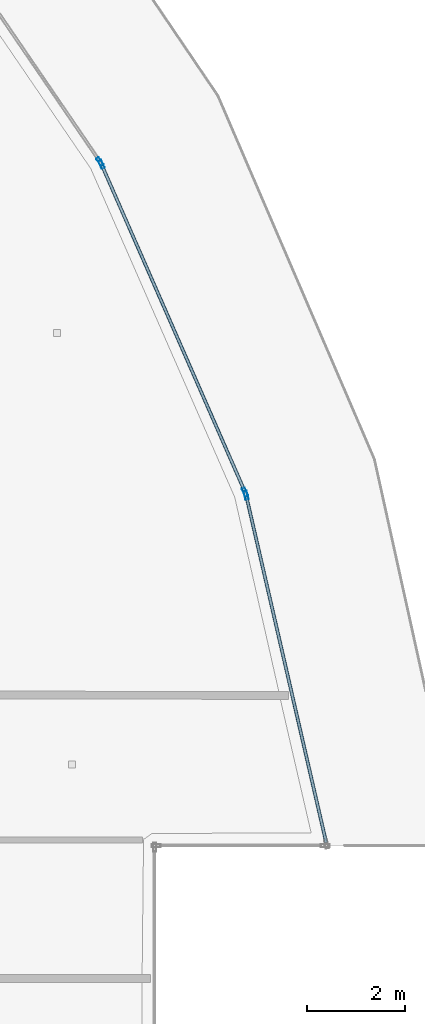
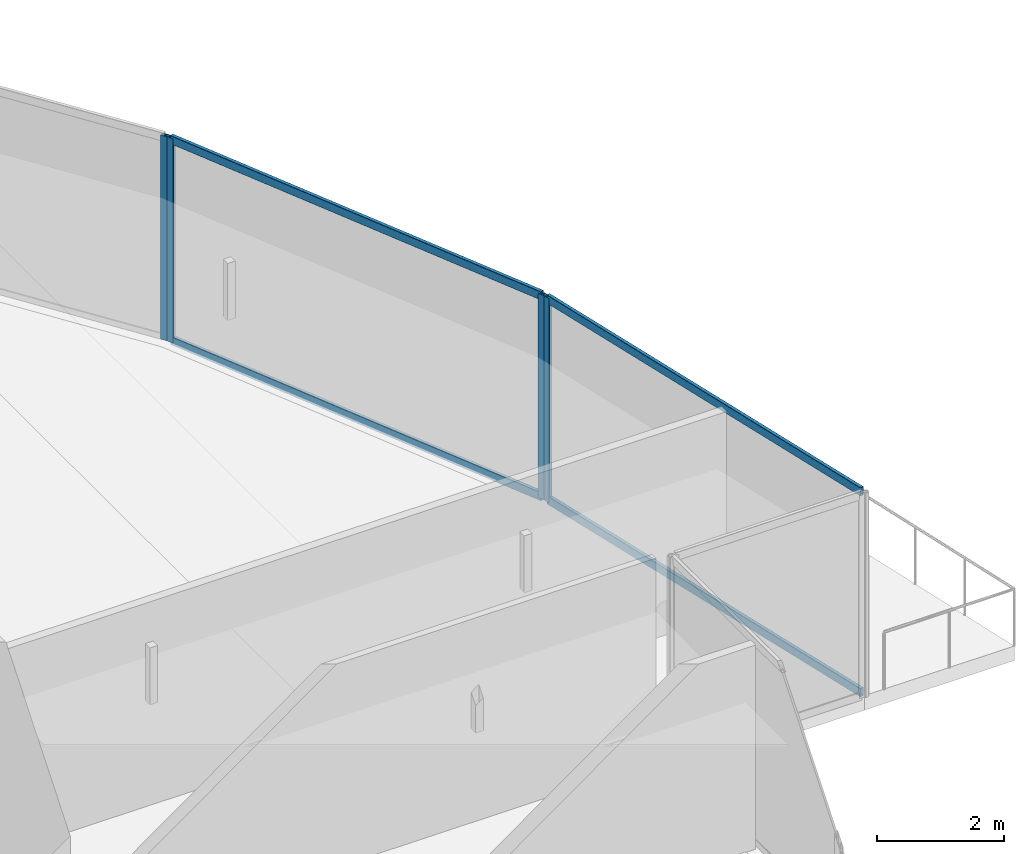
# One storey, part 25 of 44: 8 members, 3 elements without a shape of their own.
"""IFC4 building model written with IfcOpenShell, lengths in metres."""

from ifc_helpers import new_model, si_unit, direction, frame, origin, origin_2d, place, context, subcontext, project, spatial, hollow_rectangle, extrude, material, layer, layer_set, material_profile, profile_set, type_object, element, aggregate, save


model = new_model("IFC4")

# Units and contexts
model_context = context("Model", 3, precision=1e-05, world=origin(), true_north=direction((0.0, 1.0)))
body_context = subcontext(model_context, "Body", "Model", "MODEL_VIEW")
ifc_project = project(units=[si_unit("LENGTHUNIT", "METRE"), si_unit("AREAUNIT", "SQUARE_METRE"), si_unit("VOLUMEUNIT", "CUBIC_METRE"), si_unit("PLANEANGLEUNIT", "RADIAN"), si_unit("MASSUNIT", "GRAM", prefix="KILO")], contexts=[model_context])

# Site, building, storey
site_placement = place(None, origin())
site = spatial("IfcSite", under=ifc_project, at=site_placement, CompositionType="ELEMENT")
building_placement = place(site_placement, origin())
building = spatial("IfcBuilding", under=site, at=building_placement, Name="Qorvath Tower", CompositionType="ELEMENT")
storey_placement = place(building_placement, frame((0.0, 0.0, 57.60009765625)))
storey = spatial("IfcBuildingStorey", under=building, at=storey_placement, Name="L12", CompositionType="ELEMENT", Elevation=57.60009765625)

# Curtain wall, member
ifc_material_1 = material(Name="Anodised aluminium and triple low-E glass", Category="aluminium")
ifc_layer = layer(ifc_material_1, 0.179931640625)
ifc_layer_set = layer_set([ifc_layer], Name="CW-SYS-2")
curtain_wall_type = type_object("IfcCurtainWallType", Name="CW-SYS-2", PredefinedType="NOTDEFINED", material=ifc_layer_set)
curtain_wall_1_placement = place(storey_placement, origin())
curtain_wall_1 = element("IfcCurtainWall", 1, at=curtain_wall_1_placement, inside=storey, type_object=curtain_wall_type, Name="Curtain Wall CW-2 CW-T-L12-11.1", PredefinedType="NOTDEFINED")
ifc_material_2 = material(Name="Anodised aluminium 6063-T6", Category="aluminium")
ifc_material_profile_1 = material_profile(ifc_material_2, hollow_rectangle(XDim=0.06494140625, YDim=0.179931640625, WallThickness=0.00341796875, InnerFilletRadius=0.00341796875, OuterFilletRadius=0.007080078125, at=origin_2d()), Name="CWM 180x65")
ifc_profile_set_1 = profile_set([ifc_material_profile_1], Name="Anodised aluminium 6063-T6")
member_type_1 = type_object("IfcMemberType", Name="CWM-180", PredefinedType="MULLION", material=ifc_profile_set_1)
member_1_placement = place(storey_placement, frame((5.08544921875, 12.414794921875, 0.0), z_axis=(0.0, 0.0, 1.0), x_axis=(-0.974426885424, -0.224704795149, 0.0)))
member_1 = element("IfcMember", 2, at=member_1_placement, type_object=member_type_1, Name="CW-2 mullion 2", PredefinedType="MULLION", context=body_context, shape_type="SweptSolid", body=[
    extrude(hollow_rectangle(XDim=0.06494140625, YDim=0.179931640625, WallThickness=0.00341796875, InnerFilletRadius=0.00341796875, OuterFilletRadius=0.007080078125, at=origin_2d()), origin(), (0.0, 0.0, 1.0), 3.919921875),
])

# Curtain wall, members
curtain_wall_2_placement = place(storey_placement, origin())
curtain_wall_2 = element("IfcCurtainWall", 3, at=curtain_wall_2_placement, inside=storey, type_object=curtain_wall_type, Name="Curtain Wall CW-2 CW-T-L12-12.1", PredefinedType="NOTDEFINED")
member_2_placement = place(storey_placement, frame((5.06494140625, 12.476318359375, 0.0), z_axis=(0.0, 0.0, 1.0), x_axis=(-0.915962762712, -0.40126327682, 0.0)))
member_2 = element("IfcMember", 4, at=member_2_placement, type_object=member_type_1, Name="CW-2 mullion 1", PredefinedType="MULLION", context=body_context, shape_type="SweptSolid", body=[
    extrude(hollow_rectangle(XDim=0.06494140625, YDim=0.179931640625, WallThickness=0.00341796875, InnerFilletRadius=0.00341796875, OuterFilletRadius=0.007080078125, at=origin_2d()), origin(), (0.0, 0.0, 1.0), 3.919921875),
])
member_3_placement = place(storey_placement, frame((2.135986328125, 19.162353515625, 0.0), z_axis=(0.0, 0.0, 1.0), x_axis=(-0.915962762712, -0.40126327682, 0.0)))
member_3 = element("IfcMember", 5, at=member_3_placement, type_object=member_type_1, Name="CW-2 mullion 2", PredefinedType="MULLION", context=body_context, shape_type="SweptSolid", body=[
    extrude(hollow_rectangle(XDim=0.06494140625, YDim=0.179931640625, WallThickness=0.00341796875, InnerFilletRadius=0.00341796875, OuterFilletRadius=0.007080078125, at=origin_2d()), origin(), (0.0, 0.0, 1.0), 3.919921875),
])

# Curtain wall, member
curtain_wall_3_placement = place(storey_placement, origin())
curtain_wall_3 = element("IfcCurtainWall", 6, at=curtain_wall_3_placement, inside=storey, type_object=curtain_wall_type, Name="Curtain Wall CW-2 CW-T-L12-13.1", PredefinedType="NOTDEFINED")
member_4_placement = place(storey_placement, frame((2.104736328125, 19.218994140625, 0.0), z_axis=(0.0, 0.0, 1.0), x_axis=(-0.825808847881, -0.563950127903, 0.0)))
member_4 = element("IfcMember", 7, at=member_4_placement, type_object=member_type_1, Name="CW-2 mullion 1", PredefinedType="MULLION", context=body_context, shape_type="SweptSolid", body=[
    extrude(hollow_rectangle(XDim=0.06494140625, YDim=0.179931640625, WallThickness=0.00341796875, InnerFilletRadius=0.00341796875, OuterFilletRadius=0.007080078125, at=origin_2d()), origin(), (0.0, 0.0, 1.0), 3.919921875),
])
aggregate(curtain_wall_3, [member_4])

# Member
ifc_material_3 = material(Name="Anodised aluminium 6063-T6", Category="aluminium")
ifc_material_profile_2 = material_profile(ifc_material_3, hollow_rectangle(XDim=0.06494140625, YDim=0.159912109375, WallThickness=0.00341796875, InnerFilletRadius=0.00341796875, OuterFilletRadius=0.007080078125, at=origin_2d()), Name="CWT 160x65")
ifc_profile_set_2 = profile_set([ifc_material_profile_2], Name="Anodised aluminium 6063-T6")
member_type_2 = type_object("IfcMemberType", Name="CWT-160", PredefinedType="USERDEFINED", material=ifc_profile_set_2)
member_5_placement = place(storey_placement, frame((6.71826171875, 5.333740234375, 0.032470703125), z_axis=(-0.224691902647, 0.974429858371, 0.0), x_axis=(-0.974429858371, -0.224691902647, 0.0)))
member_5 = element("IfcMember", 8, at=member_5_placement, type_object=member_type_2, Name="CW-2 transom 1.1", ObjectType="TRANSOM", PredefinedType="USERDEFINED", context=body_context, shape_type="SweptSolid", body=[
    extrude(hollow_rectangle(XDim=0.06494140625, YDim=0.159912109375, WallThickness=0.00341796875, InnerFilletRadius=0.00341796875, OuterFilletRadius=0.007080078125, at=origin_2d()), origin(), (0.0, 0.0, 1.0), 7.234375),
])

member_6_placement = place(storey_placement, frame((6.71826171875, 5.333740234375, 3.887451171875), z_axis=(-0.224691902647, 0.974429858371, 0.0), x_axis=(-0.974429858371, -0.224691902647, 0.0)))
member_6 = element("IfcMember", 9, at=member_6_placement, type_object=member_type_2, Name="CW-2 transom 1.2", ObjectType="TRANSOM", PredefinedType="USERDEFINED", context=body_context, shape_type="SweptSolid", body=[
    extrude(hollow_rectangle(XDim=0.06494140625, YDim=0.159912109375, WallThickness=0.00341796875, InnerFilletRadius=0.00341796875, OuterFilletRadius=0.007080078125, at=origin_2d()), origin(), (0.0, 0.0, 1.0), 7.234375),
])

aggregate(curtain_wall_1, [member_1, member_5, member_6])

member_7_placement = place(storey_placement, frame((5.052001953125, 12.506103515625, 0.032470703125), z_axis=(-0.401254293677, 0.915966697979, 0.0), x_axis=(-0.915966697979, -0.401254293677, 0.0)))
member_7 = element("IfcMember", 10, at=member_7_placement, type_object=member_type_2, Name="CW-2 transom 1.1", ObjectType="TRANSOM", PredefinedType="USERDEFINED", context=body_context, shape_type="SweptSolid", body=[
    extrude(hollow_rectangle(XDim=0.06494140625, YDim=0.159912109375, WallThickness=0.00341796875, InnerFilletRadius=0.00341796875, OuterFilletRadius=0.007080078125, at=origin_2d()), origin(), (0.0, 0.0, 1.0), 7.234375),
])

member_8_placement = place(storey_placement, frame((5.052001953125, 12.506103515625, 3.887451171875), z_axis=(-0.401254293677, 0.915966697979, 0.0), x_axis=(-0.915966697979, -0.401254293677, 0.0)))
member_8 = element("IfcMember", 11, at=member_8_placement, type_object=member_type_2, Name="CW-2 transom 1.2", ObjectType="TRANSOM", PredefinedType="USERDEFINED", context=body_context, shape_type="SweptSolid", body=[
    extrude(hollow_rectangle(XDim=0.06494140625, YDim=0.159912109375, WallThickness=0.00341796875, InnerFilletRadius=0.00341796875, OuterFilletRadius=0.007080078125, at=origin_2d()), origin(), (0.0, 0.0, 1.0), 7.234375),
])

aggregate(curtain_wall_2, [member_2, member_3, member_7, member_8])

save(model, "model.ifc")
